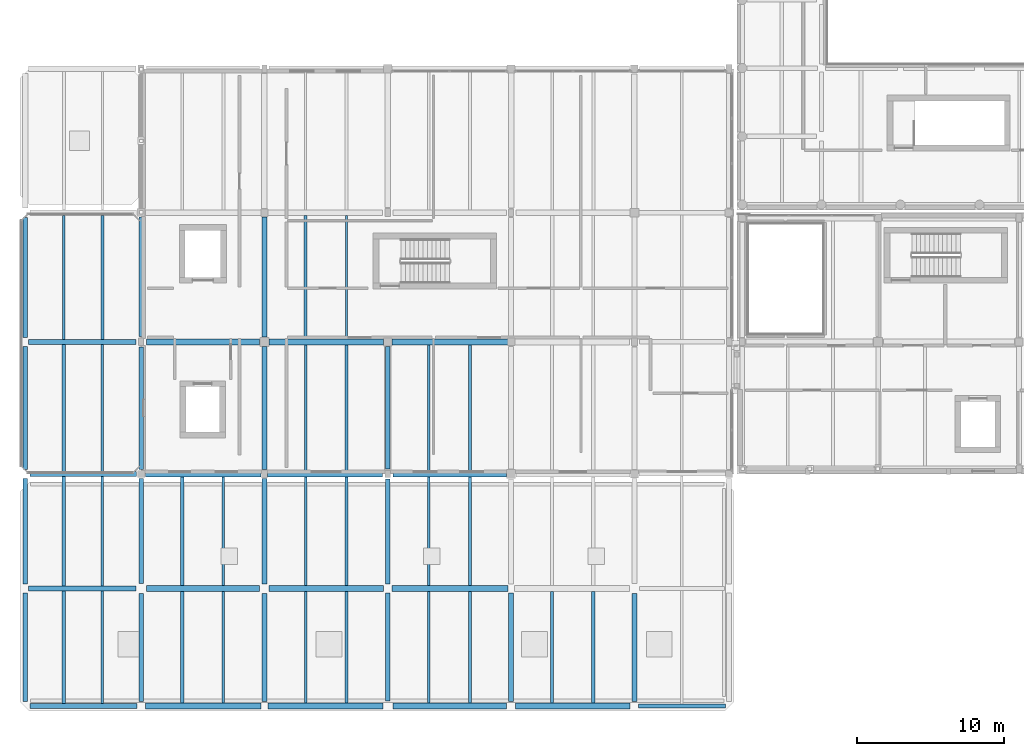
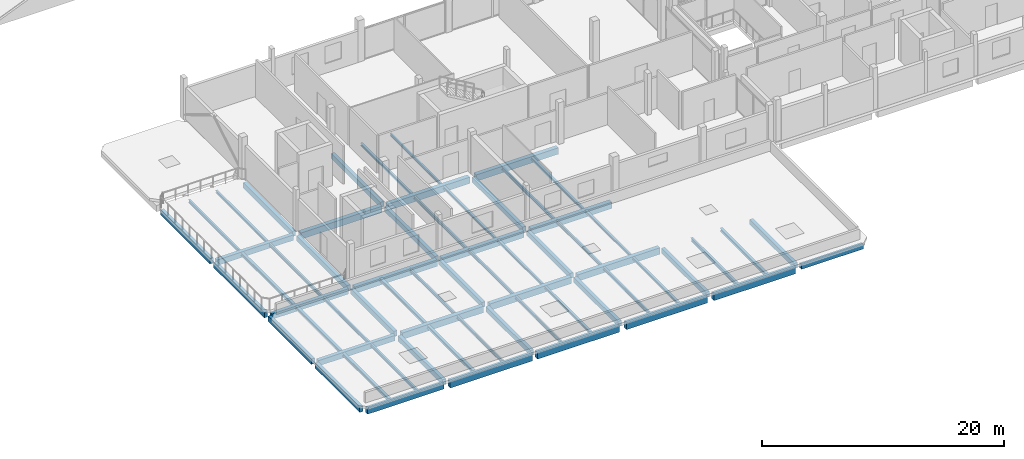
# One storey, part 5 of 66: 63 beams.
"""IFC4 building model written with IfcOpenShell, lengths in metres."""

from ifc_helpers import new_model, si_unit, direction, frame, origin, origin_2d, place, context, subcontext, project, spatial, rectangle, i_section, extrude, material, material_profile, profile_set, type_object, element, save


model = new_model("IFC4")

# Units and contexts
model_context = context("Model", 3, precision=1e-05, world=origin(), true_north=direction((0.0, 1.0)))
body_context = subcontext(model_context, "Body", "Model", "MODEL_VIEW")
ifc_project = project(units=[si_unit("LENGTHUNIT", "METRE"), si_unit("AREAUNIT", "SQUARE_METRE"), si_unit("VOLUMEUNIT", "CUBIC_METRE"), si_unit("PLANEANGLEUNIT", "RADIAN"), si_unit("MASSUNIT", "GRAM", prefix="KILO")], contexts=[model_context])

# Site, building, storey
site_placement = place(None, origin())
site = spatial("IfcSite", under=ifc_project, at=site_placement, CompositionType="ELEMENT")
building_placement = place(site_placement, origin())
building = spatial("IfcBuilding", under=site, at=building_placement, Name="Birchvale Park Specialist Clinic", CompositionType="ELEMENT")
storey_placement = place(building_placement, frame((0.0, 0.0, 5.39990234375)))
storey = spatial("IfcBuildingStorey", under=building, at=storey_placement, Name="L01", CompositionType="ELEMENT", Elevation=5.39990234375)

# Beams
ifc_material_1 = material(Name="Concrete C40/50", Category="concrete")
ifc_material_profile_1 = material_profile(ifc_material_1, rectangle(XDim=0.39990234375, YDim=0.68994140625, at=origin_2d()), Name="RCB-400x690")
ifc_profile_set_1 = profile_set([ifc_material_profile_1], Name="Concrete C40/50")
beam_type_1 = type_object("IfcBeamType", Name="BM-EXT-BG4", PredefinedType="BEAM", material=ifc_profile_set_1)
beam_1_placement = place(storey_placement, frame((11.489990234375, 1.0, -0.619873046875), z_axis=(1.0, 0.0, 0.0), x_axis=(0.0, 1.0, 0.0)))
element("IfcBeam", 1, at=beam_1_placement, inside=storey, type_object=beam_type_1, Name="V2 L01 X girder 2", PredefinedType="BEAM", context=body_context, shape_type="SweptSolid", body=[
    extrude(rectangle(XDim=0.39990234375, YDim=0.68994140625, at=origin_2d()), origin(), (0.0, 0.0, 1.0), 7.875),
])
beam_2_placement = place(storey_placement, frame((19.8349609375, 1.0, -0.619873046875), z_axis=(1.0, 0.0, 0.0), x_axis=(0.0, 1.0, 0.0)))
element("IfcBeam", 2, at=beam_2_placement, inside=storey, type_object=beam_type_1, Name="V2 L01 X girder 3", PredefinedType="BEAM", context=body_context, shape_type="SweptSolid", body=[
    extrude(rectangle(XDim=0.39990234375, YDim=0.68994140625, at=origin_2d()), origin(), (0.0, 0.0, 1.0), 7.824951171875),
])
beam_3_placement = place(storey_placement, frame((28.340087890625, 1.0, -0.619873046875), z_axis=(1.0, 0.0, 0.0), x_axis=(0.0, 1.0, 0.0)))
element("IfcBeam", 3, at=beam_3_placement, inside=storey, type_object=beam_type_1, Name="V2 L01 X girder 4", PredefinedType="BEAM", context=body_context, shape_type="SweptSolid", body=[
    extrude(rectangle(XDim=0.39990234375, YDim=0.68994140625, at=origin_2d()), origin(), (0.0, 0.0, 1.0), 7.744873046875),
])
beam_4_placement = place(storey_placement, frame((36.715087890625, 1.0, -0.619873046875), z_axis=(1.0, 0.0, 0.0), x_axis=(0.0, 1.0, 0.0)))
element("IfcBeam", 4, at=beam_4_placement, inside=storey, type_object=beam_type_1, Name="V2 L01 X girder 5", PredefinedType="BEAM", context=body_context, shape_type="SweptSolid", body=[
    extrude(rectangle(XDim=0.39990234375, YDim=0.68994140625, at=origin_2d()), origin(), (0.0, 0.0, 1.0), 7.794921875),
])
ifc_material_profile_2 = material_profile(ifc_material_1, rectangle(XDim=0.35009765625, YDim=0.590087890625, at=origin_2d()), Name="RCB-350x590")
ifc_profile_set_2 = profile_set([ifc_material_profile_2], Name="Concrete C40/50")
beam_type_2 = type_object("IfcBeamType", Name="BM-EXT-BG6", PredefinedType="BEAM", material=ifc_profile_set_2)
beam_5_placement = place(storey_placement, frame((3.614990234375, 1.0, -0.56982421875), z_axis=(1.0, 0.0, 0.0), x_axis=(0.0, 1.0, 0.0)))
element("IfcBeam", 5, at=beam_5_placement, inside=storey, type_object=beam_type_2, Name="V2 L01 X girder 1", PredefinedType="BEAM", context=body_context, shape_type="SweptSolid", body=[
    extrude(rectangle(XDim=0.35009765625, YDim=0.590087890625, at=origin_2d()), origin(), (0.0, 0.0, 1.0), 7.294921875),
])
ifc_material_profile_3 = material_profile(ifc_material_1, rectangle(XDim=0.320068359375, YDim=0.5400390625, at=origin_2d()), Name="RCB-320x540")
ifc_profile_set_3 = profile_set([ifc_material_profile_3], Name="Concrete C40/50")
beam_type_3 = type_object("IfcBeamType", Name="BM-EXT-BG7", PredefinedType="BEAM", material=ifc_profile_set_3)
beam_6_placement = place(storey_placement, frame((3.300048828125, 1.31494140625, -0.544921875), z_axis=(0.0, 1.0, 0.0), x_axis=(-1.0, 0.0, 0.0)))
element("IfcBeam", 6, at=beam_6_placement, inside=storey, type_object=beam_type_3, Name="V2 L01 Y girder 37", PredefinedType="BEAM", context=body_context, shape_type="SweptSolid", body=[
    extrude(rectangle(XDim=0.320068359375, YDim=0.5400390625, at=origin_2d()), origin(), (0.0, 0.0, 1.0), 7.3701171875),
])
beam_7_placement = place(storey_placement, frame((3.300048828125, 9.31494140625, -0.544921875), z_axis=(0.0, 1.0, 0.0), x_axis=(-1.0, 0.0, 0.0)))
element("IfcBeam", 7, at=beam_7_placement, inside=storey, type_object=beam_type_3, Name="V2 L01 Y girder 38", PredefinedType="BEAM", context=body_context, shape_type="SweptSolid", body=[
    extrude(rectangle(XDim=0.320068359375, YDim=0.5400390625, at=origin_2d()), origin(), (0.0, 0.0, 1.0), 7.170166015625),
])
beam_8_placement = place(storey_placement, frame((3.300048828125, 17.114990234375, -0.579833984375), z_axis=(0.0, 1.0, 0.0), x_axis=(-1.0, 0.0, 0.0)))
element("IfcBeam", 8, at=beam_8_placement, inside=storey, type_object=beam_type_3, Name="V2 L01 Y girder 39", PredefinedType="BEAM", context=body_context, shape_type="SweptSolid", body=[
    extrude(rectangle(XDim=0.320068359375, YDim=0.5400390625, at=origin_2d()), origin(), (0.0, 0.0, 1.0), 8.3701171875),
])
beam_9_placement = place(storey_placement, frame((3.300048828125, 26.114990234375, -0.579833984375), z_axis=(0.0, 1.0, 0.0), x_axis=(-1.0, 0.0, 0.0)))
element("IfcBeam", 9, at=beam_9_placement, inside=storey, type_object=beam_type_3, Name="V2 L01 Y girder 40", PredefinedType="BEAM", context=body_context, shape_type="SweptSolid", body=[
    extrude(rectangle(XDim=0.320068359375, YDim=0.5400390625, at=origin_2d()), origin(), (0.0, 0.0, 1.0), 8.169921875),
])
beam_10_placement = place(storey_placement, frame((11.199951171875, 1.2900390625, -0.544921875), z_axis=(0.0, 1.0, 0.0), x_axis=(-1.0, 0.0, 0.0)))
element("IfcBeam", 10, at=beam_10_placement, inside=storey, type_object=beam_type_3, Name="V2 L01 Y girder 42", PredefinedType="BEAM", context=body_context, shape_type="SweptSolid", body=[
    extrude(rectangle(XDim=0.320068359375, YDim=0.5400390625, at=origin_2d()), origin(), (0.0, 0.0, 1.0), 7.35986328125),
])
beam_11_placement = place(storey_placement, frame((11.199951171875, 9.35009765625, -0.544921875), z_axis=(0.0, 1.0, 0.0), x_axis=(-1.0, 0.0, 0.0)))
element("IfcBeam", 11, at=beam_11_placement, inside=storey, type_object=beam_type_3, Name="V2 L01 Y girder 43", PredefinedType="BEAM", context=body_context, shape_type="SweptSolid", body=[
    extrude(rectangle(XDim=0.320068359375, YDim=0.5400390625, at=origin_2d()), origin(), (0.0, 0.0, 1.0), 7.14990234375),
])
beam_12_placement = place(storey_placement, frame((11.199951171875, 17.10009765625, -0.619873046875), z_axis=(0.0, 1.0, 0.0), x_axis=(-1.0, 0.0, 0.0)))
element("IfcBeam", 12, at=beam_12_placement, inside=storey, type_object=beam_type_3, Name="V2 L01 Y girder 44", PredefinedType="BEAM", context=body_context, shape_type="SweptSolid", body=[
    extrude(rectangle(XDim=0.320068359375, YDim=0.5400390625, at=origin_2d()), origin(), (0.0, 0.0, 1.0), 8.349853515625),
])
beam_13_placement = place(storey_placement, frame((11.199951171875, 26.14990234375, -0.619873046875), z_axis=(0.0, 1.0, 0.0), x_axis=(-1.0, 0.0, 0.0)))
element("IfcBeam", 13, at=beam_13_placement, inside=storey, type_object=beam_type_3, Name="V2 L01 Y girder 45", PredefinedType="BEAM", context=body_context, shape_type="SweptSolid", body=[
    extrude(rectangle(XDim=0.320068359375, YDim=0.5400390625, at=origin_2d()), origin(), (0.0, 0.0, 1.0), 8.150146484375),
])
ifc_material_profile_4 = material_profile(ifc_material_1, rectangle(XDim=0.300048828125, YDim=0.489990234375, at=origin_2d()), Name="RCB-300x490")
ifc_profile_set_4 = profile_set([ifc_material_profile_4], Name="Concrete C40/50")
beam_type_4 = type_object("IfcBeamType", Name="BM-EXT-BG8", PredefinedType="BEAM", material=ifc_profile_set_4)
beam_14_placement = place(storey_placement, frame((45.090087890625, 1.0, -0.52001953125), z_axis=(1.0, 0.0, 0.0), x_axis=(0.0, 1.0, 0.0)))
element("IfcBeam", 14, at=beam_14_placement, inside=storey, type_object=beam_type_4, Name="V2 L01 X girder 6", PredefinedType="BEAM", context=body_context, shape_type="SweptSolid", body=[
    extrude(rectangle(XDim=0.300048828125, YDim=0.489990234375, at=origin_2d()), origin(), (0.0, 0.0, 1.0), 5.9248046875),
])
ifc_material_profile_5 = material_profile(ifc_material_1, rectangle(XDim=0.39990234375, YDim=0.64990234375, at=origin_2d()), Name="RCB-400x650")
ifc_profile_set_5 = profile_set([ifc_material_profile_5], Name="Concrete C40/50")
beam_type_5 = type_object("IfcBeamType", Name="BM-INT-BG4", PredefinedType="BEAM", material=ifc_profile_set_5)
beam_15_placement = place(storey_placement, frame((11.550048828125, 9.0, -0.599853515625), z_axis=(1.0, 0.0, 0.0), x_axis=(0.0, 1.0, 0.0)))
element("IfcBeam", 15, at=beam_15_placement, inside=storey, type_object=beam_type_5, Name="V2 L01 X girder 8", PredefinedType="BEAM", context=body_context, shape_type="SweptSolid", body=[
    extrude(rectangle(XDim=0.39990234375, YDim=0.64990234375, at=origin_2d()), origin(), (0.0, 0.0, 1.0), 7.724853515625),
])
beam_16_placement = place(storey_placement, frame((19.925048828125, 9.0, -0.599853515625), z_axis=(1.0, 0.0, 0.0), x_axis=(0.0, 1.0, 0.0)))
element("IfcBeam", 16, at=beam_16_placement, inside=storey, type_object=beam_type_5, Name="V2 L01 X girder 9", PredefinedType="BEAM", context=body_context, shape_type="SweptSolid", body=[
    extrude(rectangle(XDim=0.39990234375, YDim=0.64990234375, at=origin_2d()), origin(), (0.0, 0.0, 1.0), 7.77490234375),
])
for number, where, z_axis, x_axis, name in (
    (17, (28.300048828125, 9.0, -0.599853515625), (1.0, 0.0, 0.0), (0.0, 1.0, 0.0), "V2 L01 X girder 10"),
    (18, (11.5, 16.800048828125, -0.6748046875), (1.0, 0.0, 0.0), (0.0, 1.0, 0.0), "V2 L01 X girder 14"),
):
    element("IfcBeam", number, at=place(storey_placement, frame(where, z_axis=z_axis, x_axis=x_axis)), inside=storey, type_object=beam_type_5, Name=name, PredefinedType="BEAM", context=body_context, shape_type="SweptSolid", body=[
        extrude(rectangle(XDim=0.39990234375, YDim=0.64990234375, at=origin_2d()), origin(), (0.0, 0.0, 1.0), 7.875),
    ])
beam_17_placement = place(storey_placement, frame((19.824951171875, 16.800048828125, -0.6748046875), z_axis=(1.0, 0.0, 0.0), x_axis=(0.0, 1.0, 0.0)))
element("IfcBeam", 19, at=beam_17_placement, inside=storey, type_object=beam_type_5, Name="V2 L01 X girder 15", PredefinedType="BEAM", context=body_context, shape_type="SweptSolid", body=[
    extrude(rectangle(XDim=0.39990234375, YDim=0.64990234375, at=origin_2d()), origin(), (0.0, 0.0, 1.0), 7.824951171875),
])
for number, where, z_axis, x_axis, name in (
    (20, (28.35009765625, 16.800048828125, -0.6748046875), (1.0, 0.0, 0.0), (0.0, 1.0, 0.0), "V2 L01 X girder 16"),
    (21, (11.550048828125, 25.800048828125, -0.6748046875), (1.0, 0.0, 0.0), (0.0, 1.0, 0.0), "V2 L01 X girder 20"),
):
    element("IfcBeam", number, at=place(storey_placement, frame(where, z_axis=z_axis, x_axis=x_axis)), inside=storey, type_object=beam_type_5, Name=name, PredefinedType="BEAM", context=body_context, shape_type="SweptSolid", body=[
        extrude(rectangle(XDim=0.39990234375, YDim=0.64990234375, at=origin_2d()), origin(), (0.0, 0.0, 1.0), 7.724853515625),
    ])
beam_18_placement = place(storey_placement, frame((19.925048828125, 25.800048828125, -0.6748046875), z_axis=(1.0, 0.0, 0.0), x_axis=(0.0, 1.0, 0.0)))
element("IfcBeam", 22, at=beam_18_placement, inside=storey, type_object=beam_type_5, Name="V2 L01 X girder 21", PredefinedType="BEAM", context=body_context, shape_type="SweptSolid", body=[
    extrude(rectangle(XDim=0.39990234375, YDim=0.64990234375, at=origin_2d()), origin(), (0.0, 0.0, 1.0), 7.77490234375),
])
beam_19_placement = place(storey_placement, frame((28.300048828125, 25.800048828125, -0.6748046875), z_axis=(1.0, 0.0, 0.0), x_axis=(0.0, 1.0, 0.0)))
element("IfcBeam", 23, at=beam_19_placement, inside=storey, type_object=beam_type_5, Name="V2 L01 X girder 22", PredefinedType="BEAM", context=body_context, shape_type="SweptSolid", body=[
    extrude(rectangle(XDim=0.39990234375, YDim=0.64990234375, at=origin_2d()), origin(), (0.0, 0.0, 1.0), 7.875),
])
ifc_material_profile_6 = material_profile(ifc_material_1, rectangle(XDim=0.35009765625, YDim=0.550048828125, at=origin_2d()), Name="RCB-350x550")
ifc_profile_set_6 = profile_set([ifc_material_profile_6], Name="Concrete C40/50")
beam_type_6 = type_object("IfcBeamType", Name="BM-INT-BG6", PredefinedType="BEAM", material=ifc_profile_set_6)
beam_20_placement = place(storey_placement, frame((3.534912109375, 9.0, -0.5498046875), z_axis=(1.0, 0.0, 0.0), x_axis=(0.0, 1.0, 0.0)))
element("IfcBeam", 24, at=beam_20_placement, inside=storey, type_object=beam_type_6, Name="V2 L01 X girder 7", PredefinedType="BEAM", context=body_context, shape_type="SweptSolid", body=[
    extrude(rectangle(XDim=0.35009765625, YDim=0.550048828125, at=origin_2d()), origin(), (0.0, 0.0, 1.0), 7.315185546875),
])
beam_21_placement = place(storey_placement, frame((3.614990234375, 16.800048828125, -0.5849609375), z_axis=(1.0, 0.0, 0.0), x_axis=(0.0, 1.0, 0.0)))
element("IfcBeam", 25, at=beam_21_placement, inside=storey, type_object=beam_type_6, Name="V2 L01 X girder 13", PredefinedType="BEAM", context=body_context, shape_type="SweptSolid", body=[
    extrude(rectangle(XDim=0.35009765625, YDim=0.550048828125, at=origin_2d()), origin(), (0.0, 0.0, 1.0), 7.284912109375),
])
beam_22_placement = place(storey_placement, frame((3.534912109375, 25.800048828125, -0.5849609375), z_axis=(1.0, 0.0, 0.0), x_axis=(0.0, 1.0, 0.0)))
element("IfcBeam", 26, at=beam_22_placement, inside=storey, type_object=beam_type_6, Name="V2 L01 X girder 19", PredefinedType="BEAM", context=body_context, shape_type="SweptSolid", body=[
    extrude(rectangle(XDim=0.35009765625, YDim=0.550048828125, at=origin_2d()), origin(), (0.0, 0.0, 1.0), 7.315185546875),
])
ifc_material_profile_7 = material_profile(ifc_material_1, rectangle(XDim=0.320068359375, YDim=0.5, at=origin_2d()), Name="RCB-320x500")
ifc_profile_set_7 = profile_set([ifc_material_profile_7], Name="Concrete C40/50")
beam_type_7 = type_object("IfcBeamType", Name="BM-INT-BG7", PredefinedType="BEAM", material=ifc_profile_set_7)
beam_23_placement = place(storey_placement, frame((19.60009765625, 1.31494140625, -0.52490234375), z_axis=(0.0, 1.0, 0.0), x_axis=(-1.0, 0.0, 0.0)))
element("IfcBeam", 27, at=beam_23_placement, inside=storey, type_object=beam_type_7, Name="V2 L01 Y girder 47", PredefinedType="BEAM", context=body_context, shape_type="SweptSolid", body=[
    extrude(rectangle(XDim=0.320068359375, YDim=0.5, at=origin_2d()), origin(), (0.0, 0.0, 1.0), 7.360107421875),
])
beam_24_placement = place(storey_placement, frame((19.60009765625, 9.324951171875, -0.52490234375), z_axis=(0.0, 1.0, 0.0), x_axis=(-1.0, 0.0, 0.0)))
element("IfcBeam", 28, at=beam_24_placement, inside=storey, type_object=beam_type_7, Name="V2 L01 Y girder 48", PredefinedType="BEAM", context=body_context, shape_type="SweptSolid", body=[
    extrude(rectangle(XDim=0.320068359375, YDim=0.5, at=origin_2d()), origin(), (0.0, 0.0, 1.0), 7.175048828125),
])
beam_25_placement = place(storey_placement, frame((19.60009765625, 17.10009765625, -0.599853515625), z_axis=(0.0, 1.0, 0.0), x_axis=(-1.0, 0.0, 0.0)))
element("IfcBeam", 29, at=beam_25_placement, inside=storey, type_object=beam_type_7, Name="V2 L01 Y girder 49", PredefinedType="BEAM", context=body_context, shape_type="SweptSolid", body=[
    extrude(rectangle(XDim=0.320068359375, YDim=0.5, at=origin_2d()), origin(), (0.0, 0.0, 1.0), 8.375),
])
beam_26_placement = place(storey_placement, frame((19.60009765625, 26.125, -0.599853515625), z_axis=(0.0, 1.0, 0.0), x_axis=(-1.0, 0.0, 0.0)))
element("IfcBeam", 30, at=beam_26_placement, inside=storey, type_object=beam_type_7, Name="V2 L01 Y girder 50", PredefinedType="BEAM", context=body_context, shape_type="SweptSolid", body=[
    extrude(rectangle(XDim=0.320068359375, YDim=0.5, at=origin_2d()), origin(), (0.0, 0.0, 1.0), 8.175048828125),
])
beam_27_placement = place(storey_placement, frame((28.0, 1.340087890625, -0.52490234375), z_axis=(0.0, 1.0, 0.0), x_axis=(-1.0, 0.0, 0.0)))
element("IfcBeam", 31, at=beam_27_placement, inside=storey, type_object=beam_type_7, Name="V2 L01 Y girder 52", PredefinedType="BEAM", context=body_context, shape_type="SweptSolid", body=[
    extrude(rectangle(XDim=0.320068359375, YDim=0.5, at=origin_2d()), origin(), (0.0, 0.0, 1.0), 7.35986328125),
])
beam_28_placement = place(storey_placement, frame((28.0, 9.300048828125, -0.52490234375), z_axis=(0.0, 1.0, 0.0), x_axis=(-1.0, 0.0, 0.0)))
element("IfcBeam", 32, at=beam_28_placement, inside=storey, type_object=beam_type_7, Name="V2 L01 Y girder 53", PredefinedType="BEAM", context=body_context, shape_type="SweptSolid", body=[
    extrude(rectangle(XDim=0.320068359375, YDim=0.5, at=origin_2d()), origin(), (0.0, 0.0, 1.0), 7.14990234375),
])
beam_29_placement = place(storey_placement, frame((28.0, 17.14990234375, -0.599853515625), z_axis=(0.0, 1.0, 0.0), x_axis=(-1.0, 0.0, 0.0)))
element("IfcBeam", 33, at=beam_29_placement, inside=storey, type_object=beam_type_7, Name="V2 L01 Y girder 54", PredefinedType="BEAM", context=body_context, shape_type="SweptSolid", body=[
    extrude(rectangle(XDim=0.320068359375, YDim=0.5, at=origin_2d()), origin(), (0.0, 0.0, 1.0), 8.35009765625),
])
beam_30_placement = place(storey_placement, frame((36.39990234375, 1.31494140625, -0.52490234375), z_axis=(0.0, 1.0, 0.0), x_axis=(-1.0, 0.0, 0.0)))
element("IfcBeam", 34, at=beam_30_placement, inside=storey, type_object=beam_type_7, Name="V2 L01 Y girder 56", PredefinedType="BEAM", context=body_context, shape_type="SweptSolid", body=[
    extrude(rectangle(XDim=0.320068359375, YDim=0.5, at=origin_2d()), origin(), (0.0, 0.0, 1.0), 7.385009765625),
])
beam_31_placement = place(storey_placement, frame((44.800048828125, 1.2900390625, -0.52490234375), z_axis=(0.0, 1.0, 0.0), x_axis=(-1.0, 0.0, 0.0)))
element("IfcBeam", 35, at=beam_31_placement, inside=storey, type_object=beam_type_7, Name="V2 L01 Y girder 61", PredefinedType="BEAM", context=body_context, shape_type="SweptSolid", body=[
    extrude(rectangle(XDim=0.320068359375, YDim=0.5, at=origin_2d()), origin(), (0.0, 0.0, 1.0), 7.35986328125),
])
ifc_material_2 = material(Name="Steel ASTM A992 Grade 50", Category="steel")
ifc_material_profile_8 = material_profile(ifc_material_2, i_section(OverallWidth=0.2041015625, OverallDepth=0.35107421875, WebThickness=0.008544921875, FlangeThickness=0.01513671875, at=origin_2d()), Name="W14X48")
ifc_profile_set_8 = profile_set([ifc_material_profile_8], Name="Steel ASTM A992 Grade 50")
beam_type_8 = type_object("IfcBeamType", Name="STL-INT-SJ1", PredefinedType="JOIST", material=ifc_profile_set_8)
beam_32_placement = place(storey_placement, frame((39.199951171875, 1.199951171875, -0.450439453125), z_axis=(0.0, 1.0, 0.0), x_axis=(-1.0, 0.0, 0.0)))
element("IfcBeam", 36, at=beam_32_placement, inside=storey, type_object=beam_type_8, Name="V2 L01 secondary floor joist 35", PredefinedType="JOIST", context=body_context, shape_type="SweptSolid", body=[
    extrude(i_section(OverallWidth=0.2041015625, OverallDepth=0.35107421875, WebThickness=0.008544921875, FlangeThickness=0.01513671875, at=origin_2d()), origin(), (0.0, 0.0, 1.0), 7.60009765625),
])
ifc_material_profile_9 = material_profile(ifc_material_2, i_section(OverallWidth=0.25390625, OverallDepth=0.305908203125, WebThickness=0.0087890625, FlangeThickness=0.0146484375, at=origin_2d()), Name="W12X53")
ifc_profile_set_9 = profile_set([ifc_material_profile_9], Name="Steel ASTM A992 Grade 50")
beam_type_9 = type_object("IfcBeamType", Name="STL-INT-SJ2", PredefinedType="JOIST", material=ifc_profile_set_9)
beam_33_placement = place(storey_placement, frame((5.933349609375, 1.175048828125, -0.427978515625), z_axis=(0.0, 1.0, 0.0), x_axis=(-1.0, 0.0, 0.0)))
element("IfcBeam", 37, at=beam_33_placement, inside=storey, type_object=beam_type_9, Name="V2 L01 secondary floor joist 1", PredefinedType="JOIST", context=body_context, shape_type="SweptSolid", body=[
    extrude(i_section(OverallWidth=0.25390625, OverallDepth=0.305908203125, WebThickness=0.0087890625, FlangeThickness=0.0146484375, at=origin_2d()), origin(), (0.0, 0.0, 1.0), 7.64990234375),
])
beam_34_placement = place(storey_placement, frame((5.933349609375, 9.175048828125, -0.427978515625), z_axis=(0.0, 1.0, 0.0), x_axis=(-1.0, 0.0, 0.0)))
element("IfcBeam", 38, at=beam_34_placement, inside=storey, type_object=beam_type_9, Name="V2 L01 secondary floor joist 3", PredefinedType="JOIST", context=body_context, shape_type="SweptSolid", body=[
    extrude(i_section(OverallWidth=0.25390625, OverallDepth=0.305908203125, WebThickness=0.0087890625, FlangeThickness=0.0146484375, at=origin_2d()), origin(), (0.0, 0.0, 1.0), 7.449951171875),
])
beam_35_placement = place(storey_placement, frame((5.933349609375, 16.97509765625, -0.462890625), z_axis=(0.0, 1.0, 0.0), x_axis=(-1.0, 0.0, 0.0)))
element("IfcBeam", 39, at=beam_35_placement, inside=storey, type_object=beam_type_9, Name="V2 L01 secondary floor joist 5", PredefinedType="JOIST", context=body_context, shape_type="SweptSolid", body=[
    extrude(i_section(OverallWidth=0.25390625, OverallDepth=0.305908203125, WebThickness=0.0087890625, FlangeThickness=0.0146484375, at=origin_2d()), origin(), (0.0, 0.0, 1.0), 8.64990234375),
])
beam_36_placement = place(storey_placement, frame((14.0, 1.199951171875, -0.427978515625), z_axis=(0.0, 1.0, 0.0), x_axis=(-1.0, 0.0, 0.0)))
element("IfcBeam", 40, at=beam_36_placement, inside=storey, type_object=beam_type_9, Name="V2 L01 secondary floor joist 11", PredefinedType="JOIST", context=body_context, shape_type="SweptSolid", body=[
    extrude(i_section(OverallWidth=0.25390625, OverallDepth=0.305908203125, WebThickness=0.0087890625, FlangeThickness=0.0146484375, at=origin_2d()), origin(), (0.0, 0.0, 1.0), 7.60009765625),
])
beam_37_placement = place(storey_placement, frame((14.0, 9.199951171875, -0.427978515625), z_axis=(0.0, 1.0, 0.0), x_axis=(-1.0, 0.0, 0.0)))
element("IfcBeam", 41, at=beam_37_placement, inside=storey, type_object=beam_type_9, Name="V2 L01 secondary floor joist 13", PredefinedType="JOIST", context=body_context, shape_type="SweptSolid", body=[
    extrude(i_section(OverallWidth=0.25390625, OverallDepth=0.305908203125, WebThickness=0.0087890625, FlangeThickness=0.0146484375, at=origin_2d()), origin(), (0.0, 0.0, 1.0), 7.400146484375),
])
beam_38_placement = place(storey_placement, frame((42.0, 1.199951171875, -0.427978515625), z_axis=(0.0, 1.0, 0.0), x_axis=(-1.0, 0.0, 0.0)))
element("IfcBeam", 42, at=beam_38_placement, inside=storey, type_object=beam_type_9, Name="V2 L01 secondary floor joist 36", PredefinedType="JOIST", context=body_context, shape_type="SweptSolid", body=[
    extrude(i_section(OverallWidth=0.25390625, OverallDepth=0.305908203125, WebThickness=0.0087890625, FlangeThickness=0.0146484375, at=origin_2d()), origin(), (0.0, 0.0, 1.0), 7.60009765625),
])
ifc_material_profile_10 = material_profile(ifc_material_2, i_section(OverallWidth=0.1669921875, OverallDepth=0.31689453125, WebThickness=0.007568359375, FlangeThickness=0.01318359375, at=origin_2d()), Name="W12X35")
ifc_profile_set_10 = profile_set([ifc_material_profile_10], Name="Steel ASTM A992 Grade 50")
beam_type_10 = type_object("IfcBeamType", Name="STL-INT-SJ3", PredefinedType="JOIST", material=ifc_profile_set_10)
beam_39_placement = place(storey_placement, frame((8.566650390625, 1.175048828125, -0.433349609375), z_axis=(0.0, 1.0, 0.0), x_axis=(-1.0, 0.0, 0.0)))
element("IfcBeam", 43, at=beam_39_placement, inside=storey, type_object=beam_type_10, Name="V2 L01 secondary floor joist 2", PredefinedType="JOIST", context=body_context, shape_type="SweptSolid", body=[
    extrude(i_section(OverallWidth=0.1669921875, OverallDepth=0.31689453125, WebThickness=0.007568359375, FlangeThickness=0.01318359375, at=origin_2d()), origin(), (0.0, 0.0, 1.0), 7.64990234375),
])
beam_40_placement = place(storey_placement, frame((8.566650390625, 9.175048828125, -0.433349609375), z_axis=(0.0, 1.0, 0.0), x_axis=(-1.0, 0.0, 0.0)))
element("IfcBeam", 44, at=beam_40_placement, inside=storey, type_object=beam_type_10, Name="V2 L01 secondary floor joist 4", PredefinedType="JOIST", context=body_context, shape_type="SweptSolid", body=[
    extrude(i_section(OverallWidth=0.1669921875, OverallDepth=0.31689453125, WebThickness=0.007568359375, FlangeThickness=0.01318359375, at=origin_2d()), origin(), (0.0, 0.0, 1.0), 7.449951171875),
])
beam_41_placement = place(storey_placement, frame((8.566650390625, 16.97509765625, -0.468505859375), z_axis=(0.0, 1.0, 0.0), x_axis=(-1.0, 0.0, 0.0)))
element("IfcBeam", 45, at=beam_41_placement, inside=storey, type_object=beam_type_10, Name="V2 L01 secondary floor joist 6", PredefinedType="JOIST", context=body_context, shape_type="SweptSolid", body=[
    extrude(i_section(OverallWidth=0.1669921875, OverallDepth=0.31689453125, WebThickness=0.007568359375, FlangeThickness=0.01318359375, at=origin_2d()), origin(), (0.0, 0.0, 1.0), 8.64990234375),
])
beam_42_placement = place(storey_placement, frame((5.933349609375, 25.97509765625, -0.468505859375), z_axis=(0.0, 1.0, 0.0), x_axis=(-1.0, 0.0, 0.0)))
element("IfcBeam", 46, at=beam_42_placement, inside=storey, type_object=beam_type_10, Name="V2 L01 secondary floor joist 7", PredefinedType="JOIST", context=body_context, shape_type="SweptSolid", body=[
    extrude(i_section(OverallWidth=0.1669921875, OverallDepth=0.31689453125, WebThickness=0.007568359375, FlangeThickness=0.01318359375, at=origin_2d()), origin(), (0.0, 0.0, 1.0), 8.449951171875),
])
beam_43_placement = place(storey_placement, frame((16.800048828125, 1.199951171875, -0.433349609375), z_axis=(0.0, 1.0, 0.0), x_axis=(-1.0, 0.0, 0.0)))
element("IfcBeam", 47, at=beam_43_placement, inside=storey, type_object=beam_type_10, Name="V2 L01 secondary floor joist 12", PredefinedType="JOIST", context=body_context, shape_type="SweptSolid", body=[
    extrude(i_section(OverallWidth=0.1669921875, OverallDepth=0.31689453125, WebThickness=0.007568359375, FlangeThickness=0.01318359375, at=origin_2d()), origin(), (0.0, 0.0, 1.0), 7.60009765625),
])
beam_44_placement = place(storey_placement, frame((16.800048828125, 9.199951171875, -0.433349609375), z_axis=(0.0, 1.0, 0.0), x_axis=(-1.0, 0.0, 0.0)))
element("IfcBeam", 48, at=beam_44_placement, inside=storey, type_object=beam_type_10, Name="V2 L01 secondary floor joist 14", PredefinedType="JOIST", context=body_context, shape_type="SweptSolid", body=[
    extrude(i_section(OverallWidth=0.1669921875, OverallDepth=0.31689453125, WebThickness=0.007568359375, FlangeThickness=0.01318359375, at=origin_2d()), origin(), (0.0, 0.0, 1.0), 7.400146484375),
])
beam_45_placement = place(storey_placement, frame((22.39990234375, 1.199951171875, -0.433349609375), z_axis=(0.0, 1.0, 0.0), x_axis=(-1.0, 0.0, 0.0)))
element("IfcBeam", 49, at=beam_45_placement, inside=storey, type_object=beam_type_10, Name="V2 L01 secondary floor joist 17", PredefinedType="JOIST", context=body_context, shape_type="SweptSolid", body=[
    extrude(i_section(OverallWidth=0.1669921875, OverallDepth=0.31689453125, WebThickness=0.007568359375, FlangeThickness=0.01318359375, at=origin_2d()), origin(), (0.0, 0.0, 1.0), 7.60009765625),
])
beam_46_placement = place(storey_placement, frame((22.39990234375, 9.199951171875, -0.433349609375), z_axis=(0.0, 1.0, 0.0), x_axis=(-1.0, 0.0, 0.0)))
element("IfcBeam", 50, at=beam_46_placement, inside=storey, type_object=beam_type_10, Name="V2 L01 secondary floor joist 19", PredefinedType="JOIST", context=body_context, shape_type="SweptSolid", body=[
    extrude(i_section(OverallWidth=0.1669921875, OverallDepth=0.31689453125, WebThickness=0.007568359375, FlangeThickness=0.01318359375, at=origin_2d()), origin(), (0.0, 0.0, 1.0), 7.400146484375),
])
beam_47_placement = place(storey_placement, frame((22.39990234375, 17.0, -0.50830078125), z_axis=(0.0, 1.0, 0.0), x_axis=(-1.0, 0.0, 0.0)))
element("IfcBeam", 51, at=beam_47_placement, inside=storey, type_object=beam_type_10, Name="V2 L01 secondary floor joist 21", PredefinedType="JOIST", context=body_context, shape_type="SweptSolid", body=[
    extrude(i_section(OverallWidth=0.1669921875, OverallDepth=0.31689453125, WebThickness=0.007568359375, FlangeThickness=0.01318359375, at=origin_2d()), origin(), (0.0, 0.0, 1.0), 8.60009765625),
])
beam_48_placement = place(storey_placement, frame((30.800048828125, 1.199951171875, -0.433349609375), z_axis=(0.0, 1.0, 0.0), x_axis=(-1.0, 0.0, 0.0)))
element("IfcBeam", 52, at=beam_48_placement, inside=storey, type_object=beam_type_10, Name="V2 L01 secondary floor joist 27", PredefinedType="JOIST", context=body_context, shape_type="SweptSolid", body=[
    extrude(i_section(OverallWidth=0.1669921875, OverallDepth=0.31689453125, WebThickness=0.007568359375, FlangeThickness=0.01318359375, at=origin_2d()), origin(), (0.0, 0.0, 1.0), 7.60009765625),
])
beam_49_placement = place(storey_placement, frame((30.800048828125, 9.199951171875, -0.433349609375), z_axis=(0.0, 1.0, 0.0), x_axis=(-1.0, 0.0, 0.0)))
element("IfcBeam", 53, at=beam_49_placement, inside=storey, type_object=beam_type_10, Name="V2 L01 secondary floor joist 29", PredefinedType="JOIST", context=body_context, shape_type="SweptSolid", body=[
    extrude(i_section(OverallWidth=0.1669921875, OverallDepth=0.31689453125, WebThickness=0.007568359375, FlangeThickness=0.01318359375, at=origin_2d()), origin(), (0.0, 0.0, 1.0), 7.400146484375),
])
beam_50_placement = place(storey_placement, frame((30.800048828125, 17.0, -0.50830078125), z_axis=(0.0, 1.0, 0.0), x_axis=(-1.0, 0.0, 0.0)))
element("IfcBeam", 54, at=beam_50_placement, inside=storey, type_object=beam_type_10, Name="V2 L01 secondary floor joist 31", PredefinedType="JOIST", context=body_context, shape_type="SweptSolid", body=[
    extrude(i_section(OverallWidth=0.1669921875, OverallDepth=0.31689453125, WebThickness=0.007568359375, FlangeThickness=0.01318359375, at=origin_2d()), origin(), (0.0, 0.0, 1.0), 8.60009765625),
])
ifc_material_profile_11 = material_profile(ifc_material_2, i_section(OverallWidth=0.202880859375, OverallDepth=0.251953125, WebThickness=0.008056640625, FlangeThickness=0.013427734375, at=origin_2d()), Name="W10X39")
ifc_profile_set_11 = profile_set([ifc_material_profile_11], Name="Steel ASTM A992 Grade 50")
beam_type_11 = type_object("IfcBeamType", Name="STL-INT-SJ4", PredefinedType="JOIST", material=ifc_profile_set_11)
beam_51_placement = place(storey_placement, frame((8.566650390625, 25.97509765625, -0.435791015625), z_axis=(0.0, 1.0, 0.0), x_axis=(-1.0, 0.0, 0.0)))
element("IfcBeam", 55, at=beam_51_placement, inside=storey, type_object=beam_type_11, Name="V2 L01 secondary floor joist 8", PredefinedType="JOIST", context=body_context, shape_type="SweptSolid", body=[
    extrude(i_section(OverallWidth=0.202880859375, OverallDepth=0.251953125, WebThickness=0.008056640625, FlangeThickness=0.013427734375, at=origin_2d()), origin(), (0.0, 0.0, 1.0), 8.449951171875),
])
beam_52_placement = place(storey_placement, frame((25.199951171875, 1.199951171875, -0.40087890625), z_axis=(0.0, 1.0, 0.0), x_axis=(-1.0, 0.0, 0.0)))
element("IfcBeam", 56, at=beam_52_placement, inside=storey, type_object=beam_type_11, Name="V2 L01 secondary floor joist 18", PredefinedType="JOIST", context=body_context, shape_type="SweptSolid", body=[
    extrude(i_section(OverallWidth=0.202880859375, OverallDepth=0.251953125, WebThickness=0.008056640625, FlangeThickness=0.013427734375, at=origin_2d()), origin(), (0.0, 0.0, 1.0), 7.60009765625),
])
beam_53_placement = place(storey_placement, frame((25.199951171875, 9.199951171875, -0.40087890625), z_axis=(0.0, 1.0, 0.0), x_axis=(-1.0, 0.0, 0.0)))
element("IfcBeam", 57, at=beam_53_placement, inside=storey, type_object=beam_type_11, Name="V2 L01 secondary floor joist 20", PredefinedType="JOIST", context=body_context, shape_type="SweptSolid", body=[
    extrude(i_section(OverallWidth=0.202880859375, OverallDepth=0.251953125, WebThickness=0.008056640625, FlangeThickness=0.013427734375, at=origin_2d()), origin(), (0.0, 0.0, 1.0), 7.400146484375),
])
beam_54_placement = place(storey_placement, frame((25.199951171875, 17.0, -0.475830078125), z_axis=(0.0, 1.0, 0.0), x_axis=(-1.0, 0.0, 0.0)))
element("IfcBeam", 58, at=beam_54_placement, inside=storey, type_object=beam_type_11, Name="V2 L01 secondary floor joist 22", PredefinedType="JOIST", context=body_context, shape_type="SweptSolid", body=[
    extrude(i_section(OverallWidth=0.202880859375, OverallDepth=0.251953125, WebThickness=0.008056640625, FlangeThickness=0.013427734375, at=origin_2d()), origin(), (0.0, 0.0, 1.0), 8.60009765625),
])
beam_55_placement = place(storey_placement, frame((22.39990234375, 26.0, -0.475830078125), z_axis=(0.0, 1.0, 0.0), x_axis=(-1.0, 0.0, 0.0)))
element("IfcBeam", 59, at=beam_55_placement, inside=storey, type_object=beam_type_11, Name="V2 L01 secondary floor joist 23", PredefinedType="JOIST", context=body_context, shape_type="SweptSolid", body=[
    extrude(i_section(OverallWidth=0.202880859375, OverallDepth=0.251953125, WebThickness=0.008056640625, FlangeThickness=0.013427734375, at=origin_2d()), origin(), (0.0, 0.0, 1.0), 8.39990234375),
])
beam_56_placement = place(storey_placement, frame((33.60009765625, 1.199951171875, -0.40087890625), z_axis=(0.0, 1.0, 0.0), x_axis=(-1.0, 0.0, 0.0)))
element("IfcBeam", 60, at=beam_56_placement, inside=storey, type_object=beam_type_11, Name="V2 L01 secondary floor joist 28", PredefinedType="JOIST", context=body_context, shape_type="SweptSolid", body=[
    extrude(i_section(OverallWidth=0.202880859375, OverallDepth=0.251953125, WebThickness=0.008056640625, FlangeThickness=0.013427734375, at=origin_2d()), origin(), (0.0, 0.0, 1.0), 7.60009765625),
])
beam_57_placement = place(storey_placement, frame((33.60009765625, 9.199951171875, -0.40087890625), z_axis=(0.0, 1.0, 0.0), x_axis=(-1.0, 0.0, 0.0)))
element("IfcBeam", 61, at=beam_57_placement, inside=storey, type_object=beam_type_11, Name="V2 L01 secondary floor joist 30", PredefinedType="JOIST", context=body_context, shape_type="SweptSolid", body=[
    extrude(i_section(OverallWidth=0.202880859375, OverallDepth=0.251953125, WebThickness=0.008056640625, FlangeThickness=0.013427734375, at=origin_2d()), origin(), (0.0, 0.0, 1.0), 7.400146484375),
])
beam_58_placement = place(storey_placement, frame((33.60009765625, 17.0, -0.475830078125), z_axis=(0.0, 1.0, 0.0), x_axis=(-1.0, 0.0, 0.0)))
element("IfcBeam", 62, at=beam_58_placement, inside=storey, type_object=beam_type_11, Name="V2 L01 secondary floor joist 32", PredefinedType="JOIST", context=body_context, shape_type="SweptSolid", body=[
    extrude(i_section(OverallWidth=0.202880859375, OverallDepth=0.251953125, WebThickness=0.008056640625, FlangeThickness=0.013427734375, at=origin_2d()), origin(), (0.0, 0.0, 1.0), 8.60009765625),
])
ifc_material_profile_12 = material_profile(ifc_material_2, i_section(OverallWidth=0.14697265625, OverallDepth=0.261962890625, WebThickness=0.006591796875, FlangeThickness=0.01123046875, at=origin_2d()), Name="W10X26")
ifc_profile_set_12 = profile_set([ifc_material_profile_12], Name="Steel ASTM A992 Grade 50")
beam_type_12 = type_object("IfcBeamType", Name="STL-INT-SJ5", PredefinedType="JOIST", material=ifc_profile_set_12)
beam_59_placement = place(storey_placement, frame((25.199951171875, 26.0, -0.48095703125), z_axis=(0.0, 1.0, 0.0), x_axis=(-1.0, 0.0, 0.0)))
element("IfcBeam", 63, at=beam_59_placement, inside=storey, type_object=beam_type_12, Name="V2 L01 secondary floor joist 24", PredefinedType="JOIST", context=body_context, shape_type="SweptSolid", body=[
    extrude(i_section(OverallWidth=0.14697265625, OverallDepth=0.261962890625, WebThickness=0.006591796875, FlangeThickness=0.01123046875, at=origin_2d()), origin(), (0.0, 0.0, 1.0), 8.39990234375),
])

save(model, "model.ifc")
